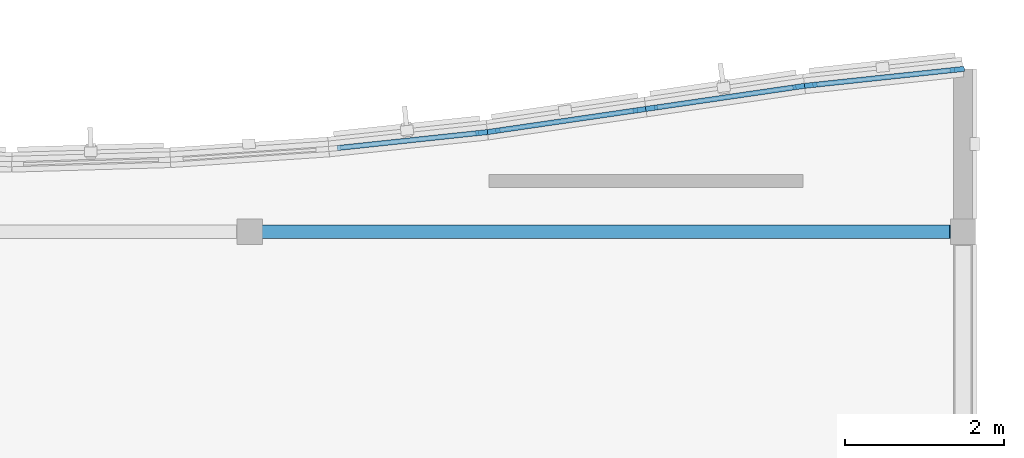
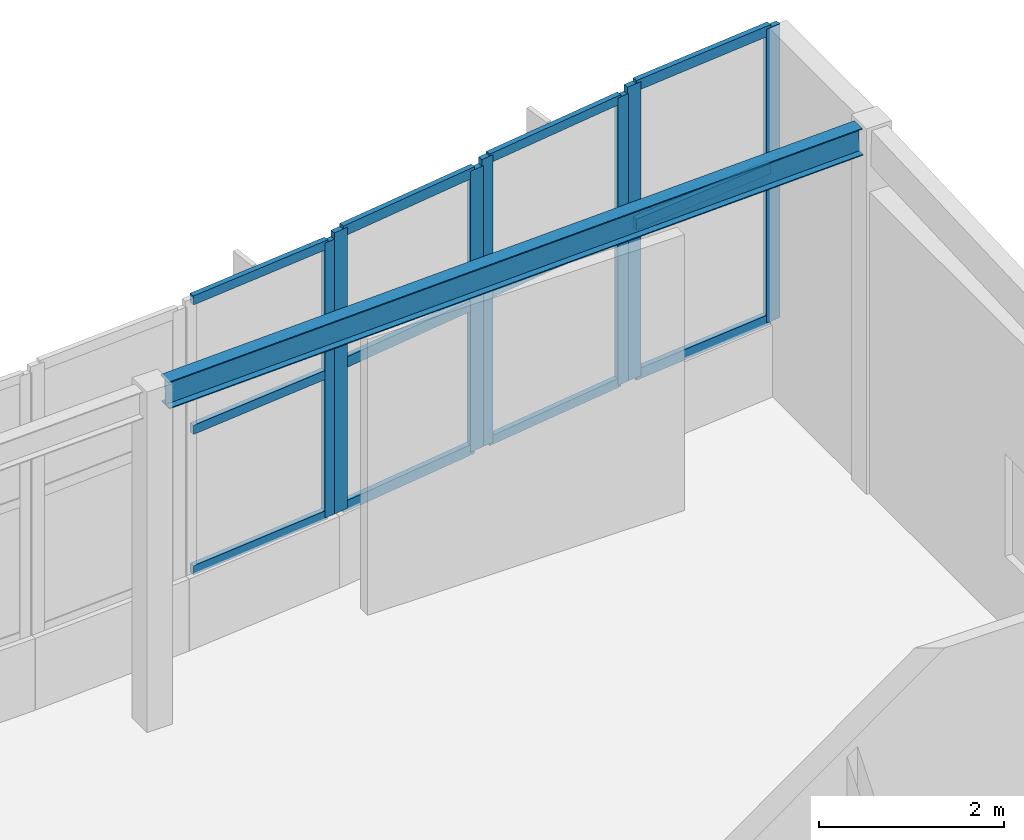
# One storey, part 9 of 20: 19 members, 1 beam, 4 elements without a shape of their own.
"""IFC4 building model written with IfcOpenShell, lengths in metres."""

from ifc_helpers import new_model, si_unit, direction, frame, origin, origin_2d, place, context, subcontext, project, spatial, rectangle, i_section, extrude, material, layer, layer_set, material_profile, profile_set, type_object, element, aggregate, save


model = new_model("IFC4")

# Units and contexts
model_context = context("Model", 3, precision=1e-05, world=origin(), true_north=direction((0.0, 1.0)))
body_context = subcontext(model_context, "Body", "Model", "MODEL_VIEW")
ifc_project = project(units=[si_unit("LENGTHUNIT", "METRE"), si_unit("AREAUNIT", "SQUARE_METRE"), si_unit("VOLUMEUNIT", "CUBIC_METRE"), si_unit("PLANEANGLEUNIT", "RADIAN"), si_unit("MASSUNIT", "GRAM", prefix="KILO")], contexts=[model_context])

# Site, building, storey
site_placement = place(None, origin())
site = spatial("IfcSite", under=ifc_project, at=site_placement, CompositionType="ELEMENT")
building_placement = place(site_placement, origin())
building = spatial("IfcBuilding", under=site, at=building_placement, Name="Tonlespit Floodbar School", CompositionType="ELEMENT")
storey_placement = place(building_placement, frame((0.0, 0.0, 20.10009765625)))
storey = spatial("IfcBuildingStorey", under=building, at=storey_placement, Name="L05", CompositionType="ELEMENT", Elevation=20.10009765625)

# Curtain wall, member
ifc_material_1 = material(Name="Anodised Aluminium", Category="aluminium")
ifc_layer_1 = layer(ifc_material_1, 0.159912109375)
ifc_layer_set_1 = layer_set([ifc_layer_1], Name="Anodised Aluminium")
curtain_wall_type_1 = type_object("IfcCurtainWallType", Name="CurtainWall_1950x3650", PredefinedType="NOTDEFINED", material=ifc_layer_set_1)
curtain_wall_1_placement = place(storey_placement, origin())
curtain_wall_1 = element("IfcCurtainWall", 1, at=curtain_wall_1_placement, inside=storey, type_object=curtain_wall_type_1, Name="L05 unitised curtain wall 0240", PredefinedType="NOTDEFINED")
ifc_material_profile_1 = material_profile(ifc_material_1, rectangle(XDim=0.06494140625, YDim=0.14990234375, at=origin_2d()), Name="ALU M65x150")
ifc_profile_set_1 = profile_set([ifc_material_profile_1], Name="Anodised Aluminium")
member_type_1 = type_object("IfcMemberType", Name="CW_Mullion_65x150", PredefinedType="MULLION", material=ifc_profile_set_1)
member_1_placement = place(storey_placement, frame((109.927978515625, 121.250732421875, 0.949951171875), z_axis=(0.0, 0.0, 1.0), x_axis=(-0.105787143968, 0.994388797288, 0.0)))
member_1 = element("IfcMember", 2, at=member_1_placement, type_object=member_type_1, Name="CW-26 mullion 2", PredefinedType="MULLION", context=body_context, shape_type="SweptSolid", body=[
    extrude(rectangle(XDim=0.06494140625, YDim=0.14990234375, at=origin_2d()), origin(), (0.0, 0.0, 1.0), 3.63427734375),
])

# Curtain wall, members
ifc_layer_2 = layer(ifc_material_1, 0.159912109375)
ifc_layer_set_2 = layer_set([ifc_layer_2], Name="Anodised Aluminium")
curtain_wall_type_2 = type_object("IfcCurtainWallType", Name="CurtainWall_1950x3800", PredefinedType="NOTDEFINED", material=ifc_layer_set_2)
curtain_wall_2_placement = place(storey_placement, origin())
curtain_wall_2 = element("IfcCurtainWall", 3, at=curtain_wall_2_placement, inside=storey, type_object=curtain_wall_type_2, Name="L05 unitised curtain wall 0242", PredefinedType="NOTDEFINED")
member_2_placement = place(storey_placement, frame((112.07177734375, 121.560546875, 0.949951171875), z_axis=(0.0, 0.0, 1.0), x_axis=(-0.144248041079, 0.989541561858, 0.0)))
member_2 = element("IfcMember", 4, at=member_2_placement, type_object=member_type_1, Name="CW-10 mullion 1", PredefinedType="MULLION", context=body_context, shape_type="SweptSolid", body=[
    extrude(rectangle(XDim=0.06494140625, YDim=0.14990234375, at=origin_2d()), origin(), (0.0, 0.0, 1.0), 3.802734375),
])
member_3_placement = place(storey_placement, frame((113.92822265625, 121.8310546875, 0.949951171875), z_axis=(0.0, 0.0, 1.0), x_axis=(-0.144248041079, 0.989541561858, 0.0)))
member_3 = element("IfcMember", 5, at=member_3_placement, type_object=member_type_1, Name="CW-10 mullion 2", PredefinedType="MULLION", context=body_context, shape_type="SweptSolid", body=[
    extrude(rectangle(XDim=0.06494140625, YDim=0.14990234375, at=origin_2d()), origin(), (0.0, 0.0, 1.0), 3.802734375),
])

ifc_layer_3 = layer(ifc_material_1, 0.159912109375)
ifc_layer_set_3 = layer_set([ifc_layer_3], Name="Anodised Aluminium")
curtain_wall_type_3 = type_object("IfcCurtainWallType", Name="CurtainWall_1950x3700", PredefinedType="NOTDEFINED", material=ifc_layer_set_3)
curtain_wall_3_placement = place(storey_placement, origin())
curtain_wall_3 = element("IfcCurtainWall", 6, at=curtain_wall_3_placement, inside=storey, type_object=curtain_wall_type_3, Name="L05 unitised curtain wall 0241", PredefinedType="NOTDEFINED")
ifc_material_profile_2 = material_profile(ifc_material_1, rectangle(XDim=0.06494140625, YDim=0.179931640625, at=origin_2d()), Name="ALU M65x180")
ifc_profile_set_2 = profile_set([ifc_material_profile_2], Name="Anodised Aluminium")
member_type_2 = type_object("IfcMemberType", Name="CW_Mullion_65x180", PredefinedType="MULLION", material=ifc_profile_set_2)
member_4_placement = place(storey_placement, frame((110.07177734375, 121.268798828125, 0.949951171875), z_axis=(0.0, 0.0, 1.0), x_axis=(-0.144248041079, 0.989541561858, 0.0)))
member_4 = element("IfcMember", 7, at=member_4_placement, type_object=member_type_2, Name="CW-22 mullion 1", PredefinedType="MULLION", context=body_context, shape_type="SweptSolid", body=[
    extrude(rectangle(XDim=0.06494140625, YDim=0.179931640625, at=origin_2d()), origin(), (0.0, 0.0, 1.0), 3.716796875),
])
member_5_placement = place(storey_placement, frame((111.92822265625, 121.53955078125, 0.949951171875), z_axis=(0.0, 0.0, 1.0), x_axis=(-0.144248041079, 0.989541561858, 0.0)))
member_5 = element("IfcMember", 8, at=member_5_placement, type_object=member_type_2, Name="CW-22 mullion 2", PredefinedType="MULLION", context=body_context, shape_type="SweptSolid", body=[
    extrude(rectangle(XDim=0.06494140625, YDim=0.179931640625, at=origin_2d()), origin(), (0.0, 0.0, 1.0), 3.716796875),
])

ifc_layer_4 = layer(ifc_material_1, 0.159912109375)
ifc_layer_set_4 = layer_set([ifc_layer_4], Name="Anodised Aluminium")
curtain_wall_type_4 = type_object("IfcCurtainWallType", Name="CurtainWall_1950x3900", PredefinedType="NOTDEFINED", material=ifc_layer_set_4)
curtain_wall_4_placement = place(storey_placement, origin())
curtain_wall_4 = element("IfcCurtainWall", 9, at=curtain_wall_4_placement, inside=storey, type_object=curtain_wall_type_4, Name="L05 unitised curtain wall 0243", PredefinedType="NOTDEFINED")
member_6_placement = place(storey_placement, frame((114.072021484375, 121.84912109375, 0.949951171875), z_axis=(0.0, 0.0, 1.0), x_axis=(-0.105787143968, 0.994388797288, 0.0)))
member_6 = element("IfcMember", 10, at=member_6_placement, type_object=member_type_2, Name="CW-27 mullion 1", PredefinedType="MULLION", context=body_context, shape_type="SweptSolid", body=[
    extrude(rectangle(XDim=0.06494140625, YDim=0.179931640625, at=origin_2d()), origin(), (0.0, 0.0, 1.0), 3.888671875),
])
member_7_placement = place(storey_placement, frame((115.927978515625, 122.046630859375, 0.949951171875), z_axis=(0.0, 0.0, 1.0), x_axis=(-0.105787143968, 0.994388797288, 0.0)))
member_7 = element("IfcMember", 11, at=member_7_placement, type_object=member_type_2, Name="CW-27 mullion 2", PredefinedType="MULLION", context=body_context, shape_type="SweptSolid", body=[
    extrude(rectangle(XDim=0.06494140625, YDim=0.179931640625, at=origin_2d()), origin(), (0.0, 0.0, 1.0), 3.888671875),
])

# Member
ifc_material_profile_3 = material_profile(ifc_material_1, rectangle(XDim=0.06494140625, YDim=0.1201171875, at=origin_2d()), Name="ALU T65x120")
ifc_profile_set_3 = profile_set([ifc_material_profile_3], Name="Anodised Aluminium")
member_type_3 = type_object("IfcMemberType", Name="CW_Transom_65x120", PredefinedType="USERDEFINED", material=ifc_profile_set_3)
member_8_placement = place(storey_placement, frame((108.1044921875, 121.056884765625, 0.982421875), z_axis=(0.994394979136, 0.105729019047, 0.0), x_axis=(-0.105729019047, 0.994394979136, 0.0)))
member_8 = element("IfcMember", 12, at=member_8_placement, type_object=member_type_3, Name="CW-26 transom 1.1", ObjectType="TRANSOM", PredefinedType="USERDEFINED", context=body_context, shape_type="SweptSolid", body=[
    extrude(rectangle(XDim=0.06494140625, YDim=0.1201171875, at=origin_2d()), origin(), (0.0, 0.0, 1.0), 1.801025390625),
])

member_9_placement = place(storey_placement, frame((108.1044921875, 121.056884765625, 2.839599609375), z_axis=(0.994394979136, 0.105729019047, 0.0), x_axis=(-0.105729019047, 0.994394979136, 0.0)))
member_9 = element("IfcMember", 13, at=member_9_placement, type_object=member_type_3, Name="CW-26 transom 1.2", ObjectType="TRANSOM", PredefinedType="USERDEFINED", context=body_context, shape_type="SweptSolid", body=[
    extrude(rectangle(XDim=0.06494140625, YDim=0.1201171875, at=origin_2d()), origin(), (0.0, 0.0, 1.0), 1.801025390625),
])

member_10_placement = place(storey_placement, frame((108.1044921875, 121.056884765625, 4.5517578125), z_axis=(0.994394979136, 0.105729019047, 0.0), x_axis=(-0.105729019047, 0.994394979136, 0.0)))
member_10 = element("IfcMember", 14, at=member_10_placement, type_object=member_type_3, Name="CW-26 transom 1.3", ObjectType="TRANSOM", PredefinedType="USERDEFINED", context=body_context, shape_type="SweptSolid", body=[
    extrude(rectangle(XDim=0.06494140625, YDim=0.1201171875, at=origin_2d()), origin(), (0.0, 0.0, 1.0), 1.801025390625),
])

aggregate(curtain_wall_1, [member_1, member_8, member_9, member_10])

member_11_placement = place(storey_placement, frame((112.10400390625, 121.565185546875, 0.982421875), z_axis=(0.989541000818, 0.144251889765, 0.0), x_axis=(-0.144251889765, 0.989541000818, 0.0)))
member_11 = element("IfcMember", 15, at=member_11_placement, type_object=member_type_3, Name="CW-10 transom 1.1", ObjectType="TRANSOM", PredefinedType="USERDEFINED", context=body_context, shape_type="SweptSolid", body=[
    extrude(rectangle(XDim=0.06494140625, YDim=0.1201171875, at=origin_2d()), origin(), (0.0, 0.0, 1.0), 1.81103515625),
])

member_12_placement = place(storey_placement, frame((112.10400390625, 121.565185546875, 2.927490234375), z_axis=(0.989541000818, 0.144251889765, 0.0), x_axis=(-0.144251889765, 0.989541000818, 0.0)))
member_12 = element("IfcMember", 16, at=member_12_placement, type_object=member_type_3, Name="CW-10 transom 1.2", ObjectType="TRANSOM", PredefinedType="USERDEFINED", context=body_context, shape_type="SweptSolid", body=[
    extrude(rectangle(XDim=0.06494140625, YDim=0.1201171875, at=origin_2d()), origin(), (0.0, 0.0, 1.0), 1.81103515625),
])

member_13_placement = place(storey_placement, frame((112.10400390625, 121.565185546875, 4.72021484375), z_axis=(0.989541000818, 0.144251889765, 0.0), x_axis=(-0.144251889765, 0.989541000818, 0.0)))
member_13 = element("IfcMember", 17, at=member_13_placement, type_object=member_type_3, Name="CW-10 transom 1.3", ObjectType="TRANSOM", PredefinedType="USERDEFINED", context=body_context, shape_type="SweptSolid", body=[
    extrude(rectangle(XDim=0.06494140625, YDim=0.1201171875, at=origin_2d()), origin(), (0.0, 0.0, 1.0), 1.81103515625),
])

aggregate(curtain_wall_2, [member_2, member_3, member_11, member_12, member_13])

ifc_material_profile_4 = material_profile(ifc_material_1, rectangle(XDim=0.06494140625, YDim=0.139892578125, at=origin_2d()), Name="ALU T65x140")
ifc_profile_set_4 = profile_set([ifc_material_profile_4], Name="Anodised Aluminium")
member_type_4 = type_object("IfcMemberType", Name="CW_Transom_65x140", PredefinedType="USERDEFINED", material=ifc_profile_set_4)
member_14_placement = place(storey_placement, frame((110.10400390625, 121.273681640625, 0.982421875), z_axis=(0.989541000818, 0.144251889765, 0.0), x_axis=(-0.144251889765, 0.989541000818, 0.0)))
member_14 = element("IfcMember", 18, at=member_14_placement, type_object=member_type_4, Name="CW-22 transom 1.1", ObjectType="TRANSOM", PredefinedType="USERDEFINED", context=body_context, shape_type="SweptSolid", body=[
    extrude(rectangle(XDim=0.06494140625, YDim=0.139892578125, at=origin_2d()), origin(), (0.0, 0.0, 1.0), 1.81103515625),
])

member_15_placement = place(storey_placement, frame((110.10400390625, 121.273681640625, 2.8828125), z_axis=(0.989541000818, 0.144251889765, 0.0), x_axis=(-0.144251889765, 0.989541000818, 0.0)))
member_15 = element("IfcMember", 19, at=member_15_placement, type_object=member_type_4, Name="CW-22 transom 1.2", ObjectType="TRANSOM", PredefinedType="USERDEFINED", context=body_context, shape_type="SweptSolid", body=[
    extrude(rectangle(XDim=0.06494140625, YDim=0.139892578125, at=origin_2d()), origin(), (0.0, 0.0, 1.0), 1.81103515625),
])

member_16_placement = place(storey_placement, frame((110.10400390625, 121.273681640625, 4.63427734375), z_axis=(0.989541000818, 0.144251889765, 0.0), x_axis=(-0.144251889765, 0.989541000818, 0.0)))
member_16 = element("IfcMember", 20, at=member_16_placement, type_object=member_type_4, Name="CW-22 transom 1.3", ObjectType="TRANSOM", PredefinedType="USERDEFINED", context=body_context, shape_type="SweptSolid", body=[
    extrude(rectangle(XDim=0.06494140625, YDim=0.139892578125, at=origin_2d()), origin(), (0.0, 0.0, 1.0), 1.81103515625),
])

aggregate(curtain_wall_3, [member_4, member_5, member_14, member_15, member_16])

member_17_placement = place(storey_placement, frame((114.1044921875, 121.852783203125, 0.982421875), z_axis=(0.994394979136, 0.105729019047, 0.0), x_axis=(-0.105729019047, 0.994394979136, 0.0)))
member_17 = element("IfcMember", 21, at=member_17_placement, type_object=member_type_4, Name="CW-27 transom 1.1", ObjectType="TRANSOM", PredefinedType="USERDEFINED", context=body_context, shape_type="SweptSolid", body=[
    extrude(rectangle(XDim=0.06494140625, YDim=0.139892578125, at=origin_2d()), origin(), (0.0, 0.0, 1.0), 1.801025390625),
])

member_18_placement = place(storey_placement, frame((114.1044921875, 121.852783203125, 2.97216796875), z_axis=(0.994394979136, 0.105729019047, 0.0), x_axis=(-0.105729019047, 0.994394979136, 0.0)))
member_18 = element("IfcMember", 22, at=member_18_placement, type_object=member_type_4, Name="CW-27 transom 1.2", ObjectType="TRANSOM", PredefinedType="USERDEFINED", context=body_context, shape_type="SweptSolid", body=[
    extrude(rectangle(XDim=0.06494140625, YDim=0.139892578125, at=origin_2d()), origin(), (0.0, 0.0, 1.0), 1.801025390625),
])

member_19_placement = place(storey_placement, frame((114.1044921875, 121.852783203125, 4.80615234375), z_axis=(0.994394979136, 0.105729019047, 0.0), x_axis=(-0.105729019047, 0.994394979136, 0.0)))
member_19 = element("IfcMember", 23, at=member_19_placement, type_object=member_type_4, Name="CW-27 transom 1.3", ObjectType="TRANSOM", PredefinedType="USERDEFINED", context=body_context, shape_type="SweptSolid", body=[
    extrude(rectangle(XDim=0.06494140625, YDim=0.139892578125, at=origin_2d()), origin(), (0.0, 0.0, 1.0), 1.801025390625),
])

aggregate(curtain_wall_4, [member_6, member_7, member_17, member_18, member_19])

# Beam
ifc_material_2 = material(Name="Steel S355", Category="steel")
ifc_material_profile_5 = material_profile(ifc_material_2, i_section(OverallWidth=0.169921875, OverallDepth=0.360107421875, WebThickness=0.008056640625, FlangeThickness=0.0126953125, at=origin_2d()), Name="IPE 360")
ifc_profile_set_5 = profile_set([ifc_material_profile_5], Name="Steel S355")
beam_type = type_object("IfcBeamType", Name="Spandrel_STL_IPE360", PredefinedType="SPANDREL", material=ifc_profile_set_5)
beam_placement = place(storey_placement, frame((107.159912109375, 120.0, 4.298095703125), z_axis=(0.999327061247, 0.0, 0.036680030796), x_axis=(0.0, 1.0, 0.0)))
element("IfcBeam", 24, at=beam_placement, inside=storey, type_object=beam_type, Name="L05 girder 1351", PredefinedType="SPANDREL", context=body_context, shape_type="SweptSolid", body=[
    extrude(i_section(OverallWidth=0.169921875, OverallDepth=0.360107421875, WebThickness=0.008056640625, FlangeThickness=0.0126953125, at=origin_2d()), origin(), (0.0, 0.0, 1.0), 8.68603515625),
])

save(model, "model.ifc")
